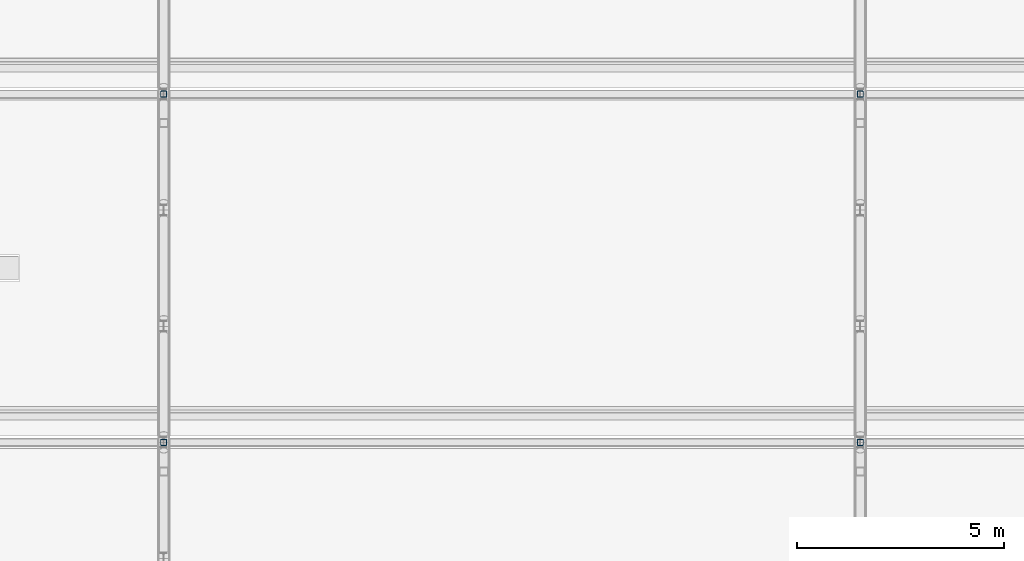
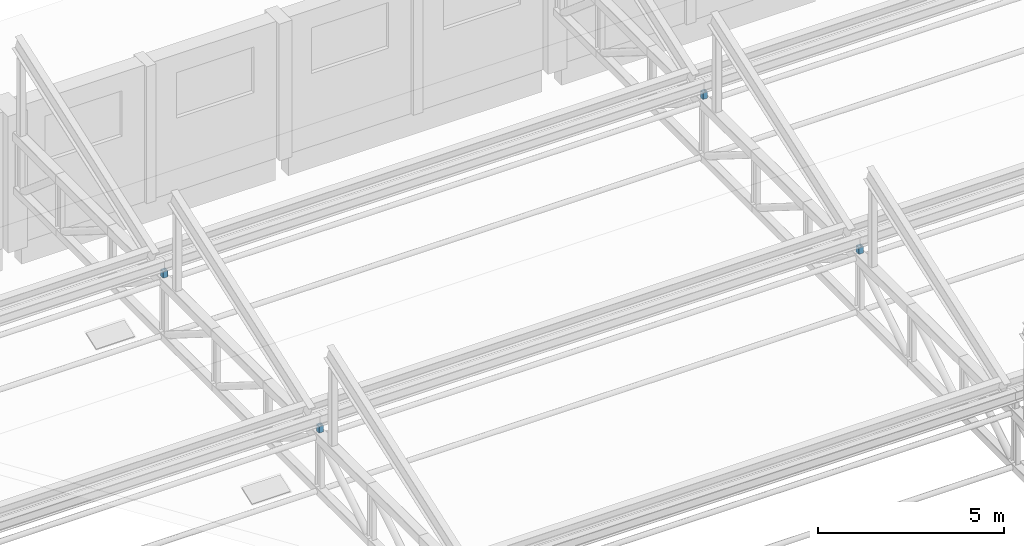
# One storey, part 57 of 101: 4 members.
"""IFC4 building model written with IfcOpenShell, lengths in metres."""

from ifc_helpers import new_model, si_unit, direction, frame, origin, origin_2d, place, context, subcontext, project, spatial, hollow_rectangle, extrude, material, material_profile, profile_set, type_object, element, save


model = new_model("IFC4")

# Units and contexts
model_context = context("Model", 3, precision=1e-05, world=origin(), true_north=direction((0.0, 1.0)))
body_context = subcontext(model_context, "Body", "Model", "MODEL_VIEW")
ifc_project = project(units=[si_unit("LENGTHUNIT", "METRE"), si_unit("AREAUNIT", "SQUARE_METRE"), si_unit("VOLUMEUNIT", "CUBIC_METRE"), si_unit("PLANEANGLEUNIT", "RADIAN"), si_unit("MASSUNIT", "GRAM", prefix="KILO")], contexts=[model_context])

# Site, building, storey
site_placement = place(None, origin())
site = spatial("IfcSite", under=ifc_project, at=site_placement, CompositionType="ELEMENT")
building_placement = place(site_placement, origin())
building = spatial("IfcBuilding", under=site, at=building_placement, Name="Fescue Hill Polytechnic", CompositionType="ELEMENT")
storey_placement = place(building_placement, frame((0.0, 0.0, 9.0)))
storey = spatial("IfcBuildingStorey", under=building, at=storey_placement, Name="L02", CompositionType="ELEMENT", Elevation=9.0)

# Members
ifc_material = material(Name="Steel 350W (350 MPa)", Category="steel")
ifc_material_profile = material_profile(ifc_material, hollow_rectangle(XDim=0.15234375, YDim=0.15234375, WallThickness=0.009521484375, InnerFilletRadius=0.009521484375, OuterFilletRadius=0.01904296875, at=origin_2d()), Name="Valley bearing post HSS 152x152x9.5")
ifc_profile_set = profile_set([ifc_material_profile], Name="Steel 350W (350 MPa)")
member_type = type_object("IfcMemberType", Name="Valley bearing post HSS 152x152x9.5", PredefinedType="POST", material=ifc_profile_set)
for number, where, z_axis, x_axis, name in (
    (1, (33.60009765625, 33.60009765625, 3.93603515625), (0.0, 0.0, 1.0), (1.0, 0.0, 0.0), "Valley 3 bearing post on TR3"),
    (2, (33.60009765625, 42.0, 3.93603515625), (0.0, 0.0, 1.0), (1.0, 0.0, 0.0), "Valley 4 bearing post on TR3"),
    (3, (50.39990234375, 33.60009765625, 3.93603515625), (0.0, 0.0, 1.0), (1.0, 0.0, 0.0), "Valley 3 bearing post on TR4"),
    (4, (50.39990234375, 42.0, 3.93603515625), (0.0, 0.0, 1.0), (1.0, 0.0, 0.0), "Valley 4 bearing post on TR4"),
):
    element("IfcMember", number, at=place(storey_placement, frame(where, z_axis=z_axis, x_axis=x_axis)), inside=storey, type_object=member_type, Name=name, PredefinedType="POST", context=body_context, shape_type="SweptSolid", body=[
        extrude(hollow_rectangle(XDim=0.15234375, YDim=0.15234375, WallThickness=0.009521484375, InnerFilletRadius=0.009521484375, OuterFilletRadius=0.01904296875, at=origin_2d()), origin(), (0.0, 0.0, 1.0), 0.2138671875),
    ])

save(model, "model.ifc")
